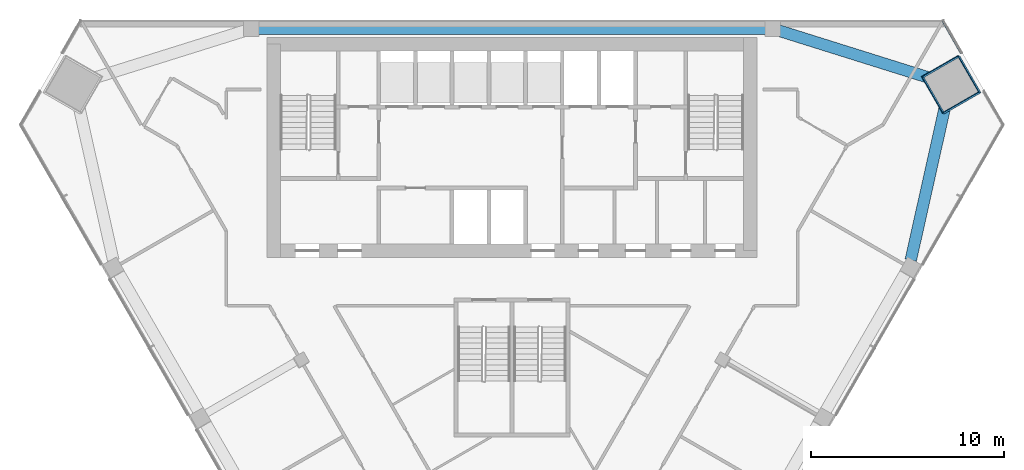
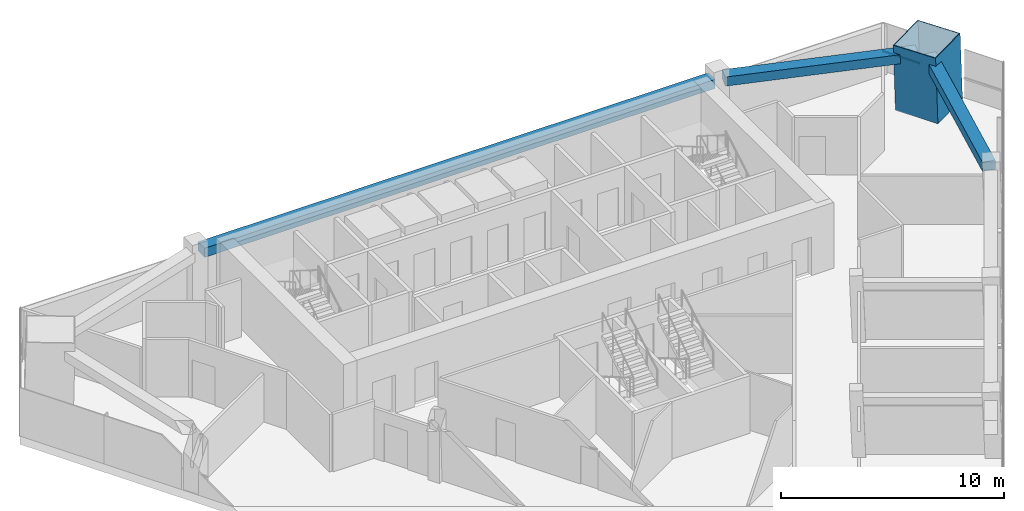
# One storey, part 6 of 13: 3 beams, 2 members, 1 element without a shape of its own.
"""IFC4 building model written with IfcOpenShell, lengths in metres."""

from ifc_helpers import new_model, si_unit, direction, frame, origin, origin_2d, place, context, subcontext, project, spatial, rectangle, hollow_rectangle, extrude, material, layer, layer_set, material_profile, profile_set, type_object, element, aggregate, save


model = new_model("IFC4")

# Units and contexts
model_context = context("Model", 3, precision=1e-05, world=origin(), true_north=direction((0.0, 1.0)))
body_context = subcontext(model_context, "Body", "Model", "MODEL_VIEW")
ifc_project = project(units=[si_unit("LENGTHUNIT", "METRE"), si_unit("AREAUNIT", "SQUARE_METRE"), si_unit("VOLUMEUNIT", "CUBIC_METRE"), si_unit("PLANEANGLEUNIT", "RADIAN"), si_unit("MASSUNIT", "GRAM", prefix="KILO")], contexts=[model_context])

# Site, building, storey
site_placement = place(None, origin())
site = spatial("IfcSite", under=ifc_project, at=site_placement, CompositionType="ELEMENT")
building_placement = place(site_placement, origin())
building = spatial("IfcBuilding", under=site, at=building_placement, Name="Altiplano Prism Tower", CompositionType="ELEMENT")
storey_placement = place(building_placement, frame((0.0, 0.0, 201.60009765625)))
storey = spatial("IfcBuildingStorey", under=building, at=storey_placement, Name="L52", CompositionType="ELEMENT", Elevation=201.60009765625)

# Curtain wall, member
ifc_material_1 = material(Name="Aluminium and glass", Category="aluminium")
ifc_layer = layer(ifc_material_1, 0.303955078125)
ifc_layer_set = layer_set([ifc_layer], Name="Aluminium and glass")
curtain_wall_type = type_object("IfcCurtainWallType", Name="CW2 lounge-band unitised glazing", PredefinedType="NOTDEFINED", material=ifc_layer_set)
curtain_wall_placement = place(storey_placement, origin())
curtain_wall = element("IfcCurtainWall", 1, at=curtain_wall_placement, inside=storey, type_object=curtain_wall_type, Name="CW2 curtain wall north-east chamfer L52", PredefinedType="NOTDEFINED")
ifc_material_2 = material(Name="Aluminium", Category="aluminium")
ifc_material_profile_1 = material_profile(ifc_material_2, rectangle(XDim=0.06005859375, YDim=0.080078125, at=origin_2d()), Name="CW2 transom 80 x 60")
ifc_profile_set_1 = profile_set([ifc_material_profile_1], Name="Aluminium")
member_type_1 = type_object("IfcMemberType", Name="CW2 transom 80 x 60", PredefinedType="USERDEFINED", material=ifc_profile_set_1)
member_1_placement = place(storey_placement, frame((108.259765625, 103.271240234375, 1.099853515625), z_axis=(-0.50005061519, 0.865996179119, 0.0), x_axis=(-0.865996179119, -0.50005061519, 0.0)))
member_1 = element("IfcMember", 2, at=member_1_placement, type_object=member_type_1, Name="CW2 transom", ObjectType="TRANSOM", PredefinedType="USERDEFINED", context=body_context, shape_type="SweptSolid", body=[
    extrude(rectangle(XDim=0.06005859375, YDim=0.080078125, at=origin_2d()), origin(), (0.0, 0.0, 1.0), 1.953369140625),
])
aggregate(curtain_wall, [member_1])

# Beams
ifc_material_3 = material(Name="Concrete C60/75", Category="concrete")
ifc_material_profile_2 = material_profile(ifc_material_3, rectangle(XDim=0.60009765625, YDim=0.5, at=origin_2d()), Name="Edge beam 600x500")
ifc_profile_set_2 = profile_set([ifc_material_profile_2], Name="Concrete C60/75")
beam_type = type_object("IfcBeamType", Name="Edge beam 600x500", PredefinedType="SPANDREL", material=ifc_profile_set_2)
beam_1_placement = place(storey_placement, frame((105.652587890625, 92.56640625, 2.89990234375), z_axis=(0.217972783116, 0.975954848249, 0.0), x_axis=(-0.975954848249, 0.217972783116, 0.0)))
element("IfcBeam", 3, at=beam_1_placement, inside=storey, type_object=beam_type, Name="Edge beam P24-M2 L53", PredefinedType="SPANDREL", context=body_context, shape_type="SweptSolid", body=[
    extrude(rectangle(XDim=0.60009765625, YDim=0.5, at=origin_2d()), origin(), (0.0, 0.0, 1.0), 8.87744140625),
])
beam_2_placement = place(storey_placement, frame((107.25634765625, 101.80419921875, 2.89990234375), z_axis=(-0.954188369255, 0.299206544009, 0.0), x_axis=(-0.299206544009, -0.954188369255, 0.0)))
element("IfcBeam", 4, at=beam_2_placement, inside=storey, type_object=beam_type, Name="Edge beam M2-P01 L53", PredefinedType="SPANDREL", context=body_context, shape_type="SweptSolid", body=[
    extrude(rectangle(XDim=0.60009765625, YDim=0.5, at=origin_2d()), origin(), (0.0, 0.0, 1.0), 8.877685546875),
])
beam_3_placement = place(storey_placement, frame((98.219970703125, 104.550048828125, 2.89990234375), z_axis=(-1.0, 0.0, 0.0), x_axis=(0.0, -1.0, 0.0)))
element("IfcBeam", 5, at=beam_3_placement, inside=storey, type_object=beam_type, Name="Edge beam P01-P04 L53", PredefinedType="SPANDREL", context=body_context, shape_type="SweptSolid", body=[
    extrude(rectangle(XDim=0.60009765625, YDim=0.5, at=origin_2d()), origin(), (0.0, 0.0, 1.0), 26.43994140625),
])

# Member
ifc_material_4 = material(Name="Steel S460", Category="steel")
ifc_material_profile_3 = material_profile(ifc_material_4, hollow_rectangle(XDim=2.199951171875, YDim=2.199951171875, WallThickness=0.0400390625, at=origin_2d()), Name="Mega column tube 2200")
ifc_profile_set_3 = profile_set([ifc_material_profile_3], Name="Steel S460")
member_type_2 = type_object("IfcMemberType", Name="Mega column tube 2200", PredefinedType="POST", material=ifc_profile_set_3)
member_2_placement = place(storey_placement, frame((107.7880859375, 101.63623046875, 0.0), z_axis=(-0.028403721265, 0.009287135593, 0.999553389135), x_axis=(0.498891496294, -0.866379396287, 0.022226484519)))
element("IfcMember", 6, at=member_2_placement, inside=storey, type_object=member_type_2, Name="Mega column tube M2 L52", PredefinedType="POST", context=body_context, shape_type="SweptSolid", body=[
    extrude(hollow_rectangle(XDim=2.199951171875, YDim=2.199951171875, WallThickness=0.0400390625, at=origin_2d()), origin(), (0.0, 0.0, 1.0), 3.6015625),
])

save(model, "model.ifc")
